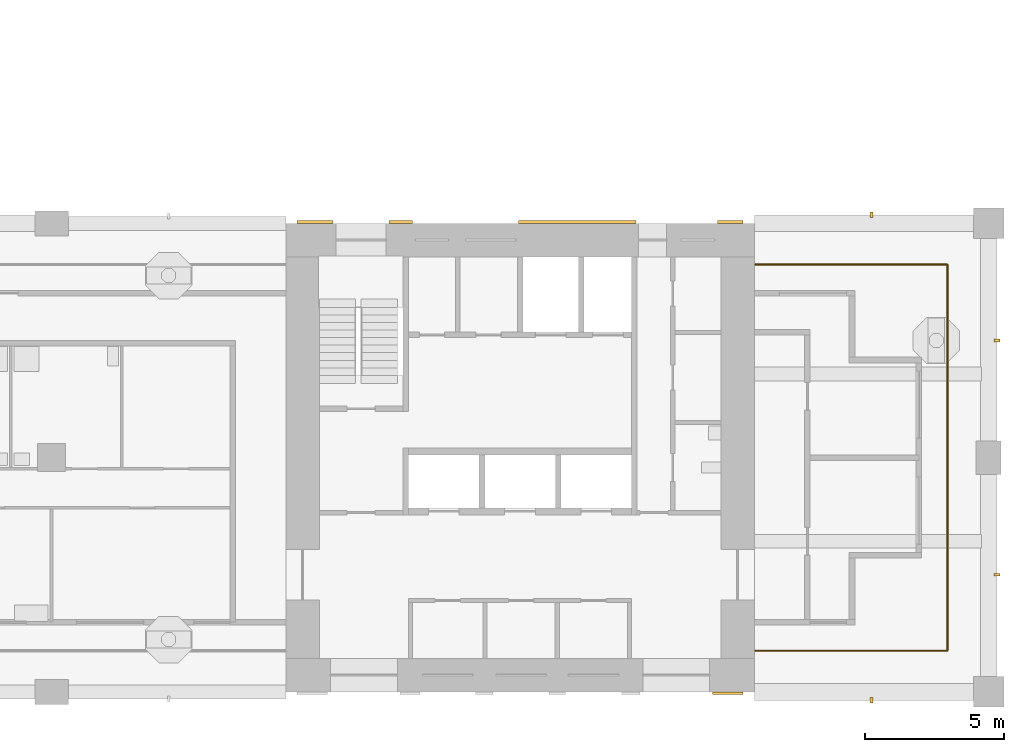
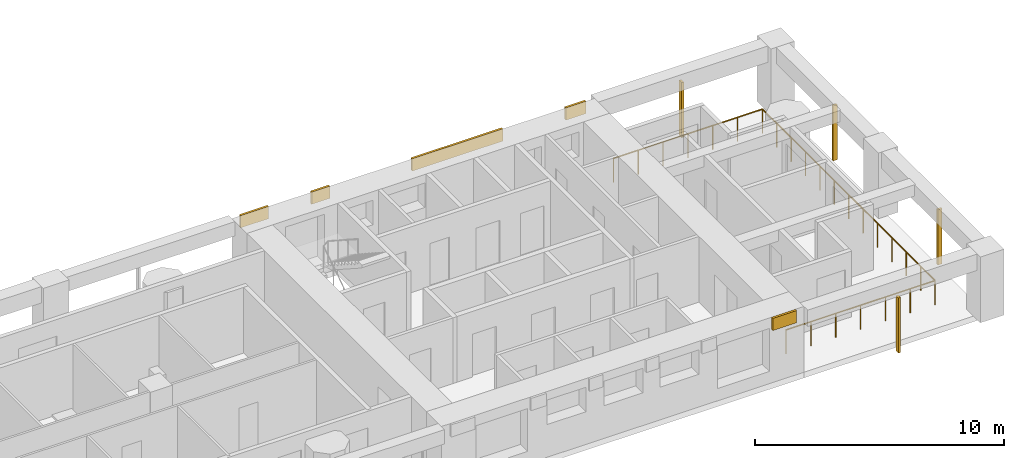
# One storey, part 9 of 13: 9 shading devices, 1 railing.
"""IFC4 building model written with IfcOpenShell, lengths in metres."""

from ifc_helpers import new_model, si_unit, direction, frame, origin, origin_2d, place, context, subcontext, project, spatial, rectangle, circle, extrude, material, layer, layer_set, material_profile, profile_set, type_object, element, save


model = new_model("IFC4")

# Units and contexts
model_context = context("Model", 3, precision=1e-05, world=origin(), true_north=direction((0.0, 1.0)))
body_context = subcontext(model_context, "Body", "Model", "MODEL_VIEW")
ifc_project = project(units=[si_unit("LENGTHUNIT", "METRE"), si_unit("AREAUNIT", "SQUARE_METRE"), si_unit("VOLUMEUNIT", "CUBIC_METRE"), si_unit("PLANEANGLEUNIT", "RADIAN"), si_unit("MASSUNIT", "GRAM", prefix="KILO")], contexts=[model_context])

# Site, building, storey
site_placement = place(None, origin())
site = spatial("IfcSite", under=ifc_project, at=site_placement, CompositionType="ELEMENT")
building_placement = place(site_placement, origin())
building = spatial("IfcBuilding", under=site, at=building_placement, Name="Vermilion Gate Residences", CompositionType="ELEMENT")
storey_placement = place(building_placement, frame((0.0, 0.0, 189.699951171875)))
storey = spatial("IfcBuildingStorey", under=building, at=storey_placement, Name="L49", CompositionType="ELEMENT", Elevation=189.699951171875)

# Railing
ifc_material_1 = material(Name="Stainless steel and toughened glass", Category="steel")
railing_type = type_object("IfcRailingType", Name="LOGGIA GUARD STEEL AND GLASS 1200", PredefinedType="GUARDRAIL", material=ifc_material_1)
railing_placement = place(storey_placement, frame((58.822021484375, 9.875, 0.0)))
element("IfcRailing", 1, at=railing_placement, inside=storey, type_object=railing_type, Name="Loggia guard", PredefinedType="GUARDRAIL", context=body_context, shape_type="SweptSolid", body=[
    extrude(circle(Radius=0.030029296875, at=origin_2d()), frame((0.0, 0.0, 1.169921875), z_axis=(1.0, 0.0, 0.0), x_axis=(0.0, 1.0, 0.0)), (0.0, 0.0, 1.0), 6.903076171875),
    extrude(circle(Radius=0.030029296875, at=origin_2d()), frame((6.903076171875, 0.0, 1.169921875), z_axis=(0.0, 1.0, 0.0), x_axis=(-1.0, 0.0, 0.0)), (0.0, 0.0, 1.0), 13.85009765625),
    extrude(circle(Radius=0.030029296875, at=origin_2d()), frame((6.903076171875, 13.85009765625, 1.169921875), z_axis=(-1.0, 0.0, 0.0), x_axis=(0.0, -1.0, 0.0)), (0.0, 0.0, 1.0), 6.903076171875),
    extrude(circle(Radius=0.02490234375, at=origin_2d()), origin(), (0.0, 0.0, 1.0), 1.139892578125),
    extrude(circle(Radius=0.02490234375, at=origin_2d()), frame((1.150390625, 0.0, 0.0)), (0.0, 0.0, 1.0), 1.139892578125),
    extrude(circle(Radius=0.02490234375, at=origin_2d()), frame((2.301025390625, 0.0, 0.0)), (0.0, 0.0, 1.0), 1.139892578125),
    extrude(circle(Radius=0.02490234375, at=origin_2d()), frame((3.45166015625, 0.0, 0.0)), (0.0, 0.0, 1.0), 1.139892578125),
    extrude(circle(Radius=0.02490234375, at=origin_2d()), frame((4.60205078125, 0.0, 0.0)), (0.0, 0.0, 1.0), 1.139892578125),
    extrude(circle(Radius=0.02490234375, at=origin_2d()), frame((5.75244140625, 0.0, 0.0)), (0.0, 0.0, 1.0), 1.139892578125),
    extrude(circle(Radius=0.02490234375, at=origin_2d()), frame((6.903076171875, 0.0, 0.0)), (0.0, 0.0, 1.0), 1.139892578125),
    extrude(circle(Radius=0.02490234375, at=origin_2d()), frame((6.903076171875, 1.154296875, 0.0)), (0.0, 0.0, 1.0), 1.139892578125),
    extrude(circle(Radius=0.02490234375, at=origin_2d()), frame((6.903076171875, 2.308349609375, 0.0)), (0.0, 0.0, 1.0), 1.139892578125),
    extrude(circle(Radius=0.02490234375, at=origin_2d()), frame((6.903076171875, 3.46240234375, 0.0)), (0.0, 0.0, 1.0), 1.139892578125),
    extrude(circle(Radius=0.02490234375, at=origin_2d()), frame((6.903076171875, 4.61669921875, 0.0)), (0.0, 0.0, 1.0), 1.139892578125),
    extrude(circle(Radius=0.02490234375, at=origin_2d()), frame((6.903076171875, 5.77099609375, 0.0)), (0.0, 0.0, 1.0), 1.139892578125),
    extrude(circle(Radius=0.02490234375, at=origin_2d()), frame((6.903076171875, 6.925048828125, 0.0)), (0.0, 0.0, 1.0), 1.139892578125),
    extrude(circle(Radius=0.02490234375, at=origin_2d()), frame((6.903076171875, 8.0791015625, 0.0)), (0.0, 0.0, 1.0), 1.139892578125),
    extrude(circle(Radius=0.02490234375, at=origin_2d()), frame((6.903076171875, 9.2333984375, 0.0)), (0.0, 0.0, 1.0), 1.139892578125),
    extrude(circle(Radius=0.02490234375, at=origin_2d()), frame((6.903076171875, 10.3876953125, 0.0)), (0.0, 0.0, 1.0), 1.139892578125),
    extrude(circle(Radius=0.02490234375, at=origin_2d()), frame((6.903076171875, 11.541748046875, 0.0)), (0.0, 0.0, 1.0), 1.139892578125),
    extrude(circle(Radius=0.02490234375, at=origin_2d()), frame((6.903076171875, 12.69580078125, 0.0)), (0.0, 0.0, 1.0), 1.139892578125),
    extrude(circle(Radius=0.02490234375, at=origin_2d()), frame((6.903076171875, 13.85009765625, 0.0)), (0.0, 0.0, 1.0), 1.139892578125),
    extrude(circle(Radius=0.02490234375, at=origin_2d()), frame((5.75244140625, 13.85009765625, 0.0)), (0.0, 0.0, 1.0), 1.139892578125),
    extrude(circle(Radius=0.02490234375, at=origin_2d()), frame((4.60205078125, 13.85009765625, 0.0)), (0.0, 0.0, 1.0), 1.139892578125),
    extrude(circle(Radius=0.02490234375, at=origin_2d()), frame((3.45166015625, 13.85009765625, 0.0)), (0.0, 0.0, 1.0), 1.139892578125),
    extrude(circle(Radius=0.02490234375, at=origin_2d()), frame((2.301025390625, 13.85009765625, 0.0)), (0.0, 0.0, 1.0), 1.139892578125),
    extrude(circle(Radius=0.02490234375, at=origin_2d()), frame((1.150390625, 13.85009765625, 0.0)), (0.0, 0.0, 1.0), 1.139892578125),
    extrude(circle(Radius=0.02490234375, at=origin_2d()), frame((0.0, 13.85009765625, 0.0)), (0.0, 0.0, 1.0), 1.139892578125),
])

# Shading devices
ifc_material_2 = material(Name="Extruded terracotta", Category="masonry")
ifc_material_profile = material_profile(ifc_material_2, rectangle(XDim=0.199951171875, YDim=0.10009765625, at=origin_2d()), Name="BAGUETTE 100 X 200")
ifc_profile_set = profile_set([ifc_material_profile], Name="Extruded terracotta")
shading_device_type_1 = type_object("IfcShadingDeviceType", Name="TERRACOTTA BAGUETTE 100 X 200", PredefinedType="JALOUSIE", material=ifc_profile_set)
for number, where, z_axis, x_axis, name in (
    (2, (63.0, 8.10009765625, -0.280029296875), (0.0, 0.0, 1.0), (0.0, 1.0, 0.0), "BAGUETTE"),
    (3, (67.5, 12.60009765625, -0.280029296875), (0.0, 0.0, 1.0), (-1.0, 0.0, 0.0), "BAGUETTE"),
    (4, (67.5, 21.0, -0.280029296875), (0.0, 0.0, 1.0), (-1.0, 0.0, 0.0), "BAGUETTE"),
    (5, (63.0, 25.5, -0.280029296875), (0.0, 0.0, 1.0), (0.0, -1.0, 0.0), "BAGUETTE"),
):
    element("IfcShadingDevice", number, at=place(storey_placement, frame(where, z_axis=z_axis, x_axis=x_axis)), inside=storey, type_object=shading_device_type_1, Name=name, PredefinedType="JALOUSIE", context=body_context, shape_type="SweptSolid", body=[
        extrude(rectangle(XDim=0.199951171875, YDim=0.10009765625, at=origin_2d()), origin(), (0.0, 0.0, 1.0), 2.7001953125),
    ])
ifc_material_3 = material(Name="Extruded terracotta", Category="masonry")
ifc_layer = layer(ifc_material_3, 0.10009765625)
ifc_layer_set = layer_set([ifc_layer], Name="TERRACOTTA SPANDREL BAND 600 X 100")
shading_device_type_2 = type_object("IfcShadingDeviceType", Name="TERRACOTTA SPANDREL BAND 600 X 100", PredefinedType="USERDEFINED", material=ifc_layer_set)
shading_device_1_placement = place(storey_placement, frame((57.85009765625, 8.35009765625, 2.6201171875), z_axis=(0.0, 0.0, 1.0), x_axis=(1.0, 0.0, 0.0)))
element("IfcShadingDevice", 6, at=shading_device_1_placement, inside=storey, type_object=shading_device_type_2, Name="SPANDREL BAND", ObjectType="BAND", PredefinedType="USERDEFINED", context=body_context, shape_type="SweptSolid", body=[
    extrude(rectangle(XDim=1.10009765625, YDim=0.10009765625, at=origin_2d()), origin(), (0.0, 0.0, 1.0), 0.60009765625),
])
shading_device_2_placement = place(storey_placement, frame((43.050048828125, 25.25, 2.6201171875), z_axis=(0.0, 0.0, 1.0), x_axis=(1.0, 0.0, 0.0)))
element("IfcShadingDevice", 7, at=shading_device_2_placement, inside=storey, type_object=shading_device_type_2, Name="SPANDREL BAND", ObjectType="BAND", PredefinedType="USERDEFINED", context=body_context, shape_type="SweptSolid", body=[
    extrude(rectangle(XDim=1.300048828125, YDim=0.10009765625, at=origin_2d()), origin(), (0.0, 0.0, 1.0), 0.60009765625),
])
shading_device_3_placement = place(storey_placement, frame((46.121826171875, 25.25, 2.6201171875), z_axis=(0.0, 0.0, 1.0), x_axis=(1.0, 0.0, 0.0)))
element("IfcShadingDevice", 8, at=shading_device_3_placement, inside=storey, type_object=shading_device_type_2, Name="SPANDREL BAND", ObjectType="BAND", PredefinedType="USERDEFINED", context=body_context, shape_type="SweptSolid", body=[
    extrude(rectangle(XDim=0.84375, YDim=0.10009765625, at=origin_2d()), origin(), (0.0, 0.0, 1.0), 0.60009765625),
])
shading_device_4_placement = place(storey_placement, frame((52.449951171875, 25.25, 2.6201171875), z_axis=(0.0, 0.0, 1.0), x_axis=(1.0, 0.0, 0.0)))
element("IfcShadingDevice", 9, at=shading_device_4_placement, inside=storey, type_object=shading_device_type_2, Name="SPANDREL BAND", ObjectType="BAND", PredefinedType="USERDEFINED", context=body_context, shape_type="SweptSolid", body=[
    extrude(rectangle(XDim=4.199951171875, YDim=0.10009765625, at=origin_2d()), origin(), (0.0, 0.0, 1.0), 0.60009765625),
])
shading_device_5_placement = place(storey_placement, frame((57.9375, 25.25, 2.6201171875), z_axis=(0.0, 0.0, 1.0), x_axis=(1.0, 0.0, 0.0)))
element("IfcShadingDevice", 10, at=shading_device_5_placement, inside=storey, type_object=shading_device_type_2, Name="SPANDREL BAND", ObjectType="BAND", PredefinedType="USERDEFINED", context=body_context, shape_type="SweptSolid", body=[
    extrude(rectangle(XDim=0.925048828125, YDim=0.10009765625, at=origin_2d()), origin(), (0.0, 0.0, 1.0), 0.60009765625),
])

save(model, "model.ifc")
